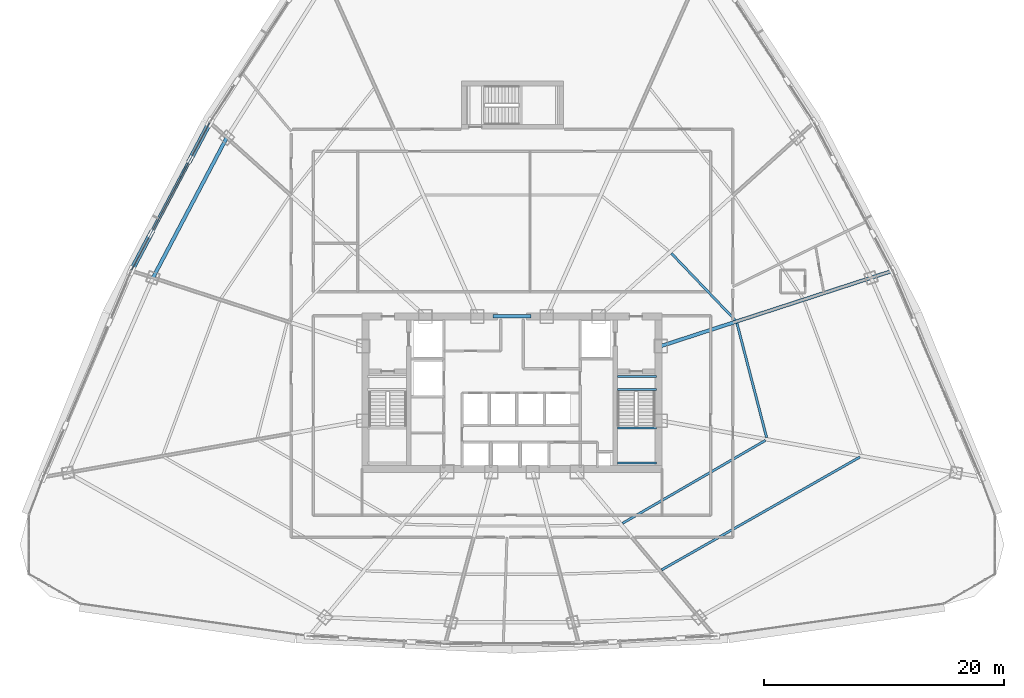
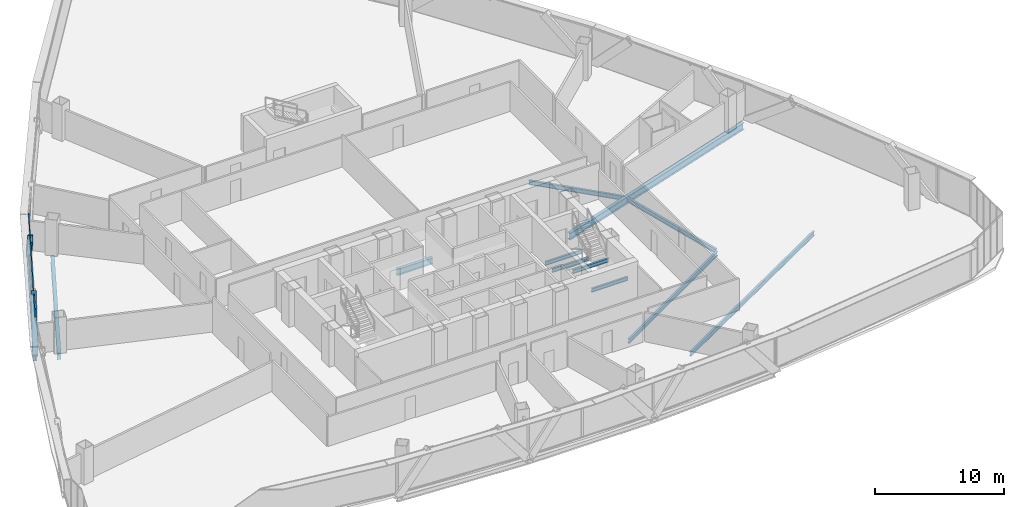
# One storey, part 15 of 42: 12 beams, 4 members, 1 element without a shape of its own.
"""IFC4 building model written with IfcOpenShell, lengths in metres."""

from ifc_helpers import new_model, si_unit, direction, frame, origin, origin_2d, place, context, subcontext, project, spatial, hollow_rectangle, i_section, extrude, source, transform, mapped, material, layer, layer_set, material_profile, profile_set, type_object, element, aggregate, save


model = new_model("IFC4")

# Units and contexts
model_context = context("Model", 3, precision=1e-05, world=origin(), true_north=direction((0.0, 1.0)))
body_context = subcontext(model_context, "Body", "Model", "MODEL_VIEW")
ifc_project = project(units=[si_unit("LENGTHUNIT", "METRE"), si_unit("AREAUNIT", "SQUARE_METRE"), si_unit("VOLUMEUNIT", "CUBIC_METRE"), si_unit("PLANEANGLEUNIT", "RADIAN"), si_unit("MASSUNIT", "GRAM", prefix="KILO"), si_unit("THERMODYNAMICTEMPERATUREUNIT", "KELVIN"), si_unit("POWERUNIT", "WATT")], contexts=[model_context])

# Site, building, storey
site_placement = place(None, origin())
site = spatial("IfcSite", under=ifc_project, at=site_placement, CompositionType="ELEMENT")
building_placement = place(site_placement, origin())
building = spatial("IfcBuilding", under=site, at=building_placement, Name="Yunzhuo Pagoda Commons", CompositionType="ELEMENT")
storey_placement = place(building_placement, frame((0.0, 0.0, 129.830078125)))
storey = spatial("IfcBuildingStorey", under=building, at=storey_placement, Name="L32", CompositionType="ELEMENT", Elevation=129.830078125)

# Beams
ifc_material_1 = material(Name="Structural steel Q355B", Category="steel")
ifc_material_profile_1 = material_profile(ifc_material_1, i_section(OverallWidth=0.175048828125, OverallDepth=0.35009765625, WebThickness=0.007080078125, FlangeThickness=0.010986328125, at=origin_2d()), Name="Structural steel Q355B")
ifc_profile_set_1 = profile_set([ifc_material_profile_1], Name="Structural steel Q355B")
beam_type_1 = type_object("IfcBeamType", Name="B-JS2 Joist HN 350x175x7x11", PredefinedType="JOIST", material=ifc_profile_set_1)
shared_shape_1 = source(origin(), body_context, "Body", "SweptSolid", [
    extrude(i_section(OverallWidth=0.175048828125, OverallDepth=0.35009765625, WebThickness=0.007080078125, FlangeThickness=0.010986328125, at=origin_2d()), origin(), (0.0, 0.0, 1.0), 3.25),
])
for number, where, z_axis, x_axis, name in (
    (1, (56.800048828125, 28.0, 1.46484375), (1.0, 0.0, 0.0), (0.0, 1.0, 0.0), "L32 ST2 landing support beam 38A"),
    (2, (56.800048828125, 30.89990234375, 1.46484375), (1.0, 0.0, 0.0), (0.0, 1.0, 0.0), "L32 ST2 landing support beam 38B"),
    (3, (56.800048828125, 34.10009765625, -0.375), (1.0, 0.0, 0.0), (0.0, 1.0, 0.0), "L32 ST2 landing support beam 136A"),
    (4, (56.800048828125, 35.199951171875, -0.375), (1.0, 0.0, 0.0), (0.0, 1.0, 0.0), "L32 ST2 landing support beam 136B"),
):
    element("IfcBeam", number, at=place(storey_placement, frame(where, z_axis=z_axis, x_axis=x_axis)), inside=storey, type_object=beam_type_1, Name=name, PredefinedType="JOIST", context=body_context, shape_type="MappedRepresentation", body=[
        mapped(shared_shape_1, transform((0.0, 0.0, 0.0), scale=1.0)),
    ])
ifc_material_2 = material(Name="Structural steel Q420B", Category="steel")
ifc_material_profile_2 = material_profile(ifc_material_2, i_section(OverallWidth=0.300048828125, OverallDepth=0.587890625, WebThickness=0.011962890625, FlangeThickness=0.02001953125, at=origin_2d()), Name="Structural steel Q420B")
ifc_profile_set_2 = profile_set([ifc_material_profile_2], Name="Structural steel Q420B")
beam_type_2 = type_object("IfcBeamType", Name="B-CPL Beam HM 588x300x12x20", PredefinedType="BEAM", material=ifc_profile_set_2)
shared_shape_2 = source(origin(), body_context, "Body", "SweptSolid", [
    extrude(i_section(OverallWidth=0.300048828125, OverallDepth=0.587890625, WebThickness=0.011962890625, FlangeThickness=0.02001953125, at=origin_2d()), origin(), (0.0, 0.0, 1.0), 3.2001953125),
])
beam_1_placement = place(storey_placement, frame((46.39990234375, 40.199951171875, -0.55419921875), z_axis=(1.0, 0.0, 0.0), x_axis=(0.0, 1.0, 0.0)))
element("IfcBeam", 5, at=beam_1_placement, inside=storey, type_object=beam_type_2, Name="L32 core coupling girder", PredefinedType="BEAM", context=body_context, shape_type="MappedRepresentation", body=[
    mapped(shared_shape_2, transform((0.0, 0.0, 0.0), scale=1.0)),
])
ifc_material_profile_3 = material_profile(ifc_material_1, i_section(OverallWidth=0.300048828125, OverallDepth=0.488037109375, WebThickness=0.010986328125, FlangeThickness=0.01806640625, at=origin_2d()), Name="Structural steel Q355B")
ifc_profile_set_3 = profile_set([ifc_material_profile_3], Name="Structural steel Q355B")
beam_type_3 = type_object("IfcBeamType", Name="B-SP1 Beam HM 488x300x11x18", PredefinedType="BEAM", material=ifc_profile_set_3)
shared_shape_3 = source(origin(), body_context, "Body", "SweptSolid", [
    extrude(i_section(OverallWidth=0.300048828125, OverallDepth=0.488037109375, WebThickness=0.010986328125, FlangeThickness=0.01806640625, at=origin_2d()), origin(), (0.0, 0.0, 1.0), 13.98681640625),
])
beam_2_placement = place(storey_placement, frame((22.826171875, 56.36669921875, -0.504150390625), z_axis=(-0.468057733589, -0.883697888437, 0.0), x_axis=(0.883697888437, -0.468057733589, 0.0)))
element("IfcBeam", 6, at=beam_2_placement, inside=storey, type_object=beam_type_3, Name="L32 facade edge spandrel beam F3.2", PredefinedType="BEAM", context=body_context, shape_type="MappedRepresentation", body=[
    mapped(shared_shape_3, transform((0.0, 0.0, 0.0), scale=1.0)),
])
ifc_material_profile_4 = material_profile(ifc_material_1, i_section(OverallWidth=0.300048828125, OverallDepth=0.64990234375, WebThickness=0.012939453125, FlangeThickness=0.02197265625, at=origin_2d()), Name="Structural steel Q355B")
ifc_profile_set_4 = profile_set([ifc_material_profile_4], Name="Structural steel Q355B")
beam_type_4 = type_object("IfcBeamType", Name="B-RG2 Beam HN 650x300x13x22", PredefinedType="BEAM", material=ifc_profile_set_4)
shared_shape_4 = source(origin(), body_context, "Body", "SweptSolid", [
    extrude(i_section(OverallWidth=0.300048828125, OverallDepth=0.64990234375, WebThickness=0.012939453125, FlangeThickness=0.02197265625, at=origin_2d()), origin(), (0.0, 0.0, 1.0), 20.159912109375),
])
beam_3_placement = place(storey_placement, frame((79.572998046875, 43.958740234375, -0.5849609375), z_axis=(-0.951056226242, -0.309017887067, 0.0), x_axis=(0.309017887067, -0.951056226242, 0.0)))
element("IfcBeam", 7, at=beam_3_placement, inside=storey, type_object=beam_type_4, Name="L32 radial floor girder F2C2", PredefinedType="BEAM", context=body_context, shape_type="MappedRepresentation", body=[
    mapped(shared_shape_4, transform((0.0, 0.0, 0.0), scale=1.0)),
])
ifc_material_profile_5 = material_profile(ifc_material_1, i_section(OverallWidth=0.199951171875, OverallDepth=0.39990234375, WebThickness=0.008056640625, FlangeThickness=0.012939453125, at=origin_2d()), Name="Structural steel Q355B")
ifc_profile_set_5 = profile_set([ifc_material_profile_5], Name="Structural steel Q355B")
beam_type_5 = type_object("IfcBeamType", Name="B-JS1 Joist HN 400x200x8x13", PredefinedType="JOIST", material=ifc_profile_set_5)
shared_shape_5 = source(origin(), body_context, "Body", "SweptSolid", [
    extrude(i_section(OverallWidth=0.199951171875, OverallDepth=0.39990234375, WebThickness=0.008056640625, FlangeThickness=0.012939453125, at=origin_2d()), origin(), (0.0, 0.0, 1.0), 13.76416015625),
])
beam_4_placement = place(storey_placement, frame((57.2119140625, 22.96533203125, -0.4599609375), z_axis=(0.864967288101, 0.501828248025, 0.0), x_axis=(-0.501828248025, 0.864967288101, 0.0)))
element("IfcBeam", 8, at=beam_4_placement, inside=storey, type_object=beam_type_5, Name="L32 composite ring joist 1.4", PredefinedType="JOIST", context=body_context, shape_type="MappedRepresentation", body=[
    mapped(shared_shape_5, transform((0.0, 0.0, 0.0), scale=1.0)),
])
shared_shape_6 = source(origin(), body_context, "Body", "SweptSolid", [
    extrude(i_section(OverallWidth=0.199951171875, OverallDepth=0.39990234375, WebThickness=0.008056640625, FlangeThickness=0.012939453125, at=origin_2d()), origin(), (0.0, 0.0, 1.0), 19.007568359375),
])
beam_5_placement = place(storey_placement, frame((60.468017578125, 19.08447265625, -0.4599609375), z_axis=(0.869119947472, 0.494601371718, 0.0), x_axis=(-0.494601371718, 0.869119947472, 0.0)))
element("IfcBeam", 9, at=beam_5_placement, inside=storey, type_object=beam_type_5, Name="L32 composite ring joist 2.4", PredefinedType="JOIST", context=body_context, shape_type="MappedRepresentation", body=[
    mapped(shared_shape_6, transform((0.0, 0.0, 0.0), scale=1.0)),
])
shared_shape_7 = source(origin(), body_context, "Body", "SweptSolid", [
    extrude(i_section(OverallWidth=0.199951171875, OverallDepth=0.39990234375, WebThickness=0.008056640625, FlangeThickness=0.012939453125, at=origin_2d()), origin(), (0.0, 0.0, 1.0), 9.8330078125),
])
beam_6_placement = place(storey_placement, frame((69.215087890625, 30.10595703125, -0.4599609375), z_axis=(-0.251166367041, 0.967943932295, 0.0), x_axis=(-0.967943932295, -0.251166367041, 0.0)))
element("IfcBeam", 10, at=beam_6_placement, inside=storey, type_object=beam_type_5, Name="L32 composite ring joist 1.5", PredefinedType="JOIST", context=body_context, shape_type="MappedRepresentation", body=[
    mapped(shared_shape_7, transform((0.0, 0.0, 0.0), scale=1.0)),
])
shared_shape_8 = source(origin(), body_context, "Body", "SweptSolid", [
    extrude(i_section(OverallWidth=0.300048828125, OverallDepth=0.64990234375, WebThickness=0.012939453125, FlangeThickness=0.02197265625, at=origin_2d()), origin(), (0.0, 0.0, 1.0), 13.198974609375),
])
beam_7_placement = place(storey_placement, frame((24.23388671875, 55.09912109375, -0.5849609375), z_axis=(-0.465885937554, -0.884844784801, 0.0), x_axis=(0.884844784801, -0.465885937554, 0.0)))
element("IfcBeam", 11, at=beam_7_placement, inside=storey, type_object=beam_type_4, Name="L32 column-ring beam 10", PredefinedType="BEAM", context=body_context, shape_type="MappedRepresentation", body=[
    mapped(shared_shape_8, transform((0.0, 0.0, 0.0), scale=1.0)),
])
shared_shape_9 = source(origin(), body_context, "Body", "SweptSolid", [
    extrude(i_section(OverallWidth=0.199951171875, OverallDepth=0.39990234375, WebThickness=0.008056640625, FlangeThickness=0.012939453125, at=origin_2d()), origin(), (0.0, 0.0, 1.0), 7.685546875),
])
beam_8_placement = place(storey_placement, frame((66.595703125, 39.892578125, -0.4599609375), z_axis=(-0.690882862648, 0.722966714378, 0.0), x_axis=(-0.722966714378, -0.690882862648, 0.0)))
element("IfcBeam", 12, at=beam_8_placement, inside=storey, type_object=beam_type_5, Name="L32 composite ring joist 1.6", PredefinedType="JOIST", context=body_context, shape_type="MappedRepresentation", body=[
    mapped(shared_shape_9, transform((0.0, 0.0, 0.0), scale=1.0)),
])

# Members
ifc_material_profile_6 = material_profile(ifc_material_2, hollow_rectangle(XDim=0.419921875, YDim=0.719970703125, WallThickness=0.028076171875, at=origin_2d()), Name="Structural steel Q420B")
ifc_profile_set_6 = profile_set([ifc_material_profile_6], Name="Structural steel Q420B")
member_type_1 = type_object("IfcMemberType", Name="M-DL1 Brace BOX 720x420x28", PredefinedType="BRACE", material=ifc_profile_set_6)
shared_shape_10 = source(origin(), body_context, "Body", "SweptSolid", [
    extrude(hollow_rectangle(XDim=0.419921875, YDim=0.719970703125, WallThickness=0.028076171875, at=origin_2d()), origin(), (0.0, 0.0, 1.0), 5.076416015625),
])
for number, where, z_axis, x_axis, name in (
    (13, (22.826171875, 56.36669921875, -0.260009765625), (-0.322420021566, -0.608721690477, 0.724916018058), (0.883694492721, -0.468064144679, 0.0), "L32 facade diamond brace F3.2L"),
    (14, (16.279541015625, 44.006591796875, -0.260009765625), (0.322420021566, 0.608721690477, 0.724916018058), (-0.883694492721, 0.468064144679, 0.0), "L32 facade diamond brace F3.2R"),
):
    element("IfcMember", number, at=place(storey_placement, frame(where, z_axis=z_axis, x_axis=x_axis)), inside=storey, type_object=member_type_1, Name=name, PredefinedType="BRACE", context=body_context, shape_type="MappedRepresentation", body=[
        mapped(shared_shape_10, transform((0.0, 0.0, 0.0), scale=1.0)),
    ])

# Curtain wall, members
ifc_material_3 = material(Name="Anodized aluminium 6063-T6", Category="aluminium")
ifc_layer = layer(ifc_material_3, 0.14990234375)
ifc_layer_set = layer_set([ifc_layer], Name="Anodized aluminium 6063-T6")
curtain_wall_type = type_object("IfcCurtainWallType", Name="CW-MID Mid-Zone Ribbon Curtain Wall", PredefinedType="NOTDEFINED", material=ifc_layer_set)
curtain_wall_placement = place(storey_placement, origin())
curtain_wall = element("IfcCurtainWall", 15, at=curtain_wall_placement, inside=storey, type_object=curtain_wall_type, Name="L32 curtain wall CW-L32-F3B3", PredefinedType="NOTDEFINED")
ifc_material_profile_7 = material_profile(ifc_material_3, hollow_rectangle(XDim=0.054931640625, YDim=0.1298828125, WallThickness=0.00341796875, at=origin_2d()), Name="Anodized aluminium 6063-T6")
ifc_profile_set_7 = profile_set([ifc_material_profile_7], Name="Anodized aluminium 6063-T6")
member_type_2 = type_object("IfcMemberType", Name="CW-MID-T Transom RHS 130x55x3.5", PredefinedType="USERDEFINED", material=ifc_profile_set_7)
shared_shape_11 = source(origin(), body_context, "Body", "SweptSolid", [
    extrude(hollow_rectangle(XDim=0.054931640625, YDim=0.1298828125, WallThickness=0.00341796875, at=origin_2d()), origin(), (0.0, 0.0, 1.0), 13.86669921875),
])
member_1_placement = place(storey_placement, frame((22.798095703125, 56.3134765625, 0.02734375), z_axis=(-0.468063250671, -0.883694966247, 0.0), x_axis=(0.883694966247, -0.468063250671, 0.0)))
member_1 = element("IfcMember", 16, at=member_1_placement, type_object=member_type_2, Name="CW transom 1.1", ObjectType="TRANSOM", PredefinedType="USERDEFINED", context=body_context, shape_type="MappedRepresentation", body=[
    mapped(shared_shape_11, transform((0.0, 0.0, 0.0), scale=1.0)),
])
member_2_placement = place(storey_placement, frame((22.798095703125, 56.3134765625, 3.392333984375), z_axis=(-0.468063250671, -0.883694966247, 0.0), x_axis=(0.883694966247, -0.468063250671, 0.0)))
member_2 = element("IfcMember", 17, at=member_2_placement, type_object=member_type_2, Name="CW transom 1.2", ObjectType="TRANSOM", PredefinedType="USERDEFINED", context=body_context, shape_type="MappedRepresentation", body=[
    mapped(shared_shape_11, transform((0.0, 0.0, 0.0), scale=1.0)),
])
aggregate(curtain_wall, [member_1, member_2])

save(model, "model.ifc")
